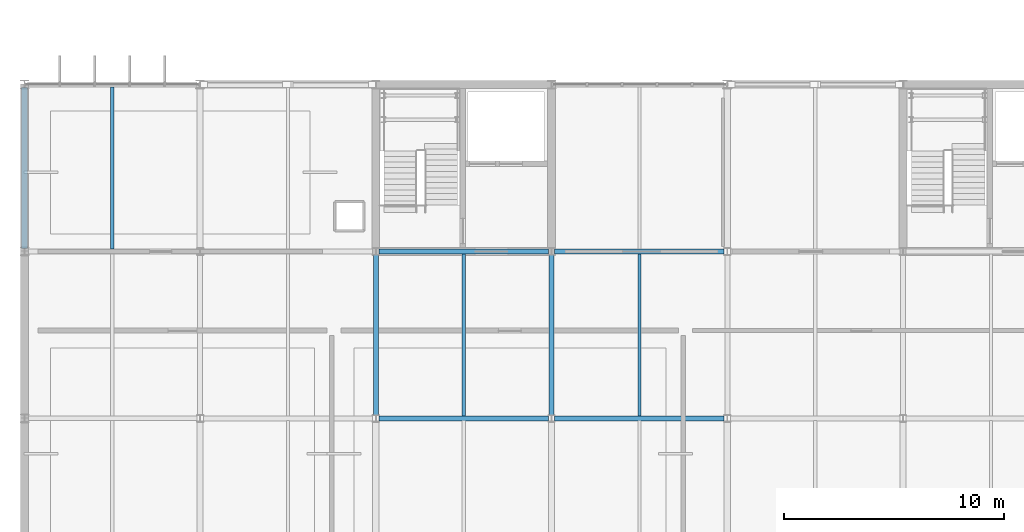
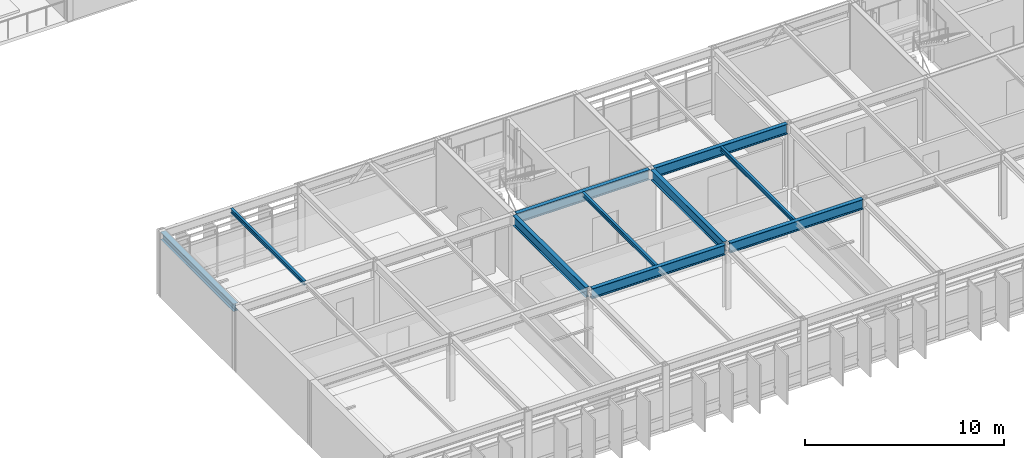
# One storey, part 23 of 85: 10 beams.
"""IFC4 building model written with IfcOpenShell, lengths in metres."""

from ifc_helpers import new_model, si_unit, direction, frame, origin, origin_2d, place, context, subcontext, project, spatial, i_section, extrude, material, material_profile, profile_set, type_object, element, save


model = new_model("IFC4")

# Units and contexts
model_context = context("Model", 3, precision=1e-05, world=origin(), true_north=direction((0.0, 1.0)))
body_context = subcontext(model_context, "Body", "Model", "MODEL_VIEW")
ifc_project = project(units=[si_unit("LENGTHUNIT", "METRE"), si_unit("AREAUNIT", "SQUARE_METRE"), si_unit("VOLUMEUNIT", "CUBIC_METRE"), si_unit("PLANEANGLEUNIT", "RADIAN"), si_unit("MASSUNIT", "GRAM", prefix="KILO")], contexts=[model_context])

# Site, building, storey
site_placement = place(None, origin())
site = spatial("IfcSite", under=ifc_project, at=site_placement, CompositionType="ELEMENT")
building_placement = place(site_placement, origin())
building = spatial("IfcBuilding", under=site, at=building_placement, Name="Zulena Civic Courthouse", CompositionType="ELEMENT")
storey_placement = place(building_placement, frame((0.0, 0.0, 25.199951171875)))
storey = spatial("IfcBuildingStorey", under=building, at=storey_placement, Name="L05", CompositionType="ELEMENT", Elevation=25.199951171875)

# Beams
ifc_material = material(Name="Steel ASTM A992 Grade 50", Category="steel")
ifc_material_profile_1 = material_profile(ifc_material, i_section(OverallWidth=0.22802734375, OverallDepth=0.60693359375, WebThickness=0.01123046875, FlangeThickness=0.017333984375, FilletRadius=0.0126953125, at=origin_2d()), Name="W24X76")
ifc_profile_set_1 = profile_set([ifc_material_profile_1], Name="Steel ASTM A992 Grade 50")
beam_type_1 = type_object("IfcBeamType", Name="Girder_W24X76", PredefinedType="BEAM", material=ifc_profile_set_1)
for number, where, z_axis, x_axis, name in (
    (1, (20.0, 7.7451171875, 3.691650390625), (0.0, 1.0, 0.0), (-1.0, 0.0, 0.0), "beam:Y:V2:L05:20.0:7.6_15.2"),
    (2, (28.0, 7.7451171875, 3.691650390625), (0.0, 1.0, 0.0), (-1.0, 0.0, 0.0), "beam:Y:V2:L05:28.0:7.6_15.2"),
):
    element("IfcBeam", number, at=place(storey_placement, frame(where, z_axis=z_axis, x_axis=x_axis)), inside=storey, type_object=beam_type_1, Name=name, PredefinedType="BEAM", context=body_context, shape_type="SweptSolid", body=[
        extrude(i_section(OverallWidth=0.22802734375, OverallDepth=0.60693359375, WebThickness=0.01123046875, FlangeThickness=0.017333984375, FilletRadius=0.0126953125, at=origin_2d()), origin(), (0.0, 0.0, 1.0), 7.309814453125),
    ])
ifc_material_profile_2 = material_profile(ifc_material, i_section(OverallWidth=0.22998046875, OverallDepth=0.616943359375, WebThickness=0.01318359375, FlangeThickness=0.022216796875, FilletRadius=0.0126953125, at=origin_2d()), Name="W24X94")
ifc_profile_set_2 = profile_set([ifc_material_profile_2], Name="Steel ASTM A992 Grade 50")
beam_type_2 = type_object("IfcBeamType", Name="Girder_W24X94", PredefinedType="BEAM", material=ifc_profile_set_2)
for number, where, z_axis, x_axis, name in (
    (3, (20.14501953125, 7.60009765625, 3.6865234375), (1.0, 0.0, 0.0), (0.0, 1.0, 0.0), "beam:X:V2:L05:7.6:20.0_28.0"),
    (4, (28.14501953125, 7.60009765625, 3.6865234375), (1.0, 0.0, 0.0), (0.0, 1.0, 0.0), "beam:X:V2:L05:7.6:28.0_36.0"),
    (5, (20.14501953125, 15.199951171875, 3.6865234375), (1.0, 0.0, 0.0), (0.0, 1.0, 0.0), "beam:X:V2:L05:15.2:20.0_28.0"),
    (6, (28.14501953125, 15.199951171875, 3.6865234375), (1.0, 0.0, 0.0), (0.0, 1.0, 0.0), "beam:X:V2:L05:15.2:28.0_36.0"),
):
    element("IfcBeam", number, at=place(storey_placement, frame(where, z_axis=z_axis, x_axis=x_axis)), inside=storey, type_object=beam_type_2, Name=name, PredefinedType="BEAM", context=body_context, shape_type="SweptSolid", body=[
        extrude(i_section(OverallWidth=0.22998046875, OverallDepth=0.616943359375, WebThickness=0.01318359375, FlangeThickness=0.022216796875, FilletRadius=0.0126953125, at=origin_2d()), origin(), (0.0, 0.0, 1.0), 7.7099609375),
    ])
ifc_material_profile_3 = material_profile(ifc_material, i_section(OverallWidth=0.14599609375, OverallDepth=0.258056640625, WebThickness=0.006103515625, FlangeThickness=0.009033203125, FilletRadius=0.007568359375, at=origin_2d()), Name="W10X22")
ifc_profile_set_3 = profile_set([ifc_material_profile_3], Name="Steel ASTM A992 Grade 50")
beam_type_3 = type_object("IfcBeamType", Name="Joist_W10X22", PredefinedType="JOIST", material=ifc_profile_set_3)
beam_1_placement = place(storey_placement, frame((8.0, 15.304931640625, 3.861083984375), z_axis=(0.0, 1.0, 0.0), x_axis=(-1.0, 0.0, 0.0)))
element("IfcBeam", 7, at=beam_1_placement, inside=storey, type_object=beam_type_3, Name="joist:V2:L05:8.00:15.2_22.8", PredefinedType="JOIST", context=body_context, shape_type="SweptSolid", body=[
    extrude(i_section(OverallWidth=0.14599609375, OverallDepth=0.258056640625, WebThickness=0.006103515625, FlangeThickness=0.009033203125, FilletRadius=0.007568359375, at=origin_2d()), origin(), (0.0, 0.0, 1.0), 7.39013671875),
])
for number, where, z_axis, x_axis, name in (
    (8, (24.0, 7.705078125, 3.865966796875), (0.0, 1.0, 0.0), (-1.0, 0.0, 0.0), "joist:V2:L05:24.00:7.6_15.2"),
    (9, (32.0, 7.705078125, 3.865966796875), (0.0, 1.0, 0.0), (-1.0, 0.0, 0.0), "joist:V2:L05:32.00:7.6_15.2"),
):
    element("IfcBeam", number, at=place(storey_placement, frame(where, z_axis=z_axis, x_axis=x_axis)), inside=storey, type_object=beam_type_3, Name=name, PredefinedType="JOIST", context=body_context, shape_type="SweptSolid", body=[
        extrude(i_section(OverallWidth=0.14599609375, OverallDepth=0.258056640625, WebThickness=0.006103515625, FlangeThickness=0.009033203125, FilletRadius=0.007568359375, at=origin_2d()), origin(), (0.0, 0.0, 1.0), 7.389892578125),
    ])
ifc_material_profile_4 = material_profile(ifc_material, i_section(OverallWidth=0.280029296875, OverallDepth=0.462890625, WebThickness=0.0107421875, FlangeThickness=0.017333984375, FilletRadius=0.01025390625, at=origin_2d()), Name="W18X76")
ifc_profile_set_4 = profile_set([ifc_material_profile_4], Name="Steel ASTM A992 Grade 50")
beam_type_4 = type_object("IfcBeamType", Name="Spandrel_W18X76", PredefinedType="SPANDREL", material=ifc_profile_set_4)
beam_2_placement = place(storey_placement, frame((4.0, 15.344970703125, 3.758544921875), z_axis=(0.0, 1.0, 0.0), x_axis=(-1.0, 0.0, 0.0)))
element("IfcBeam", 10, at=beam_2_placement, inside=storey, type_object=beam_type_4, Name="beam:Y:V2:L05:4.0:15.2_22.8", PredefinedType="SPANDREL", context=body_context, shape_type="SweptSolid", body=[
    extrude(i_section(OverallWidth=0.280029296875, OverallDepth=0.462890625, WebThickness=0.0107421875, FlangeThickness=0.017333984375, FilletRadius=0.01025390625, at=origin_2d()), origin(), (0.0, 0.0, 1.0), 7.31005859375),
])

save(model, "model.ifc")
